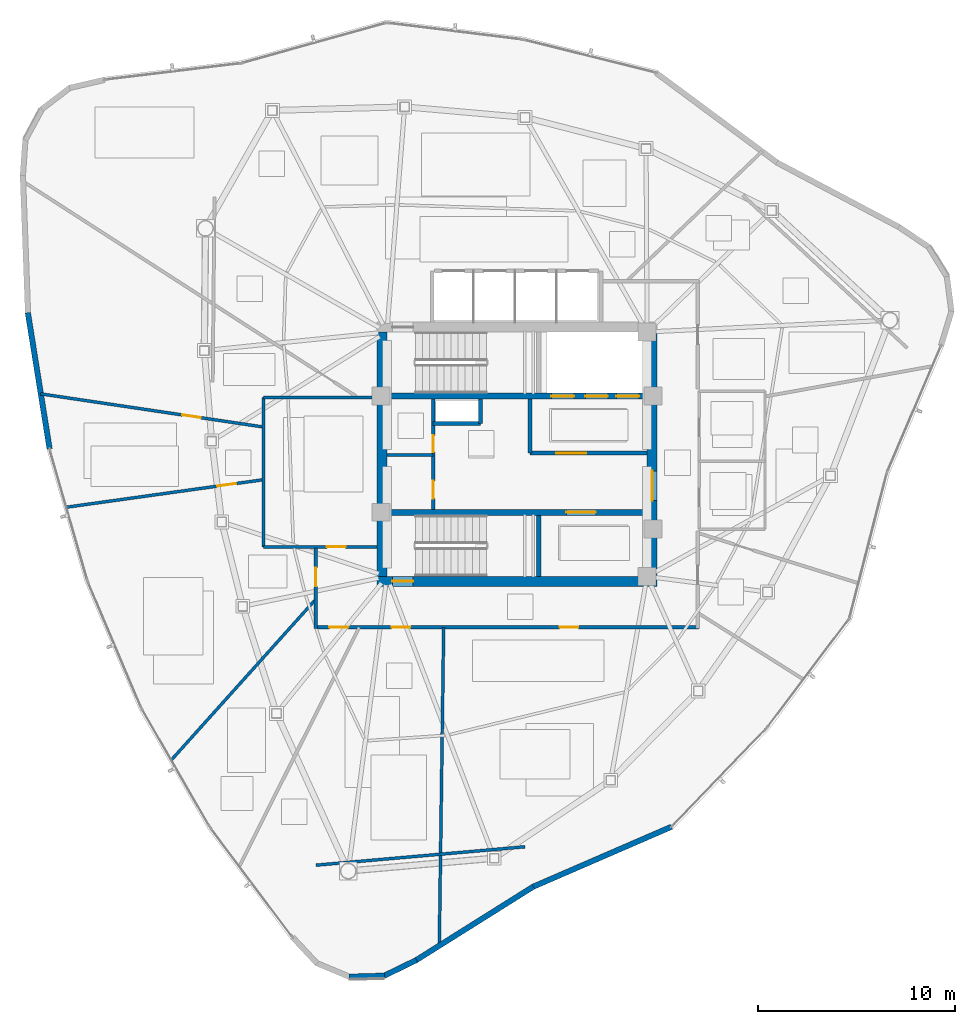
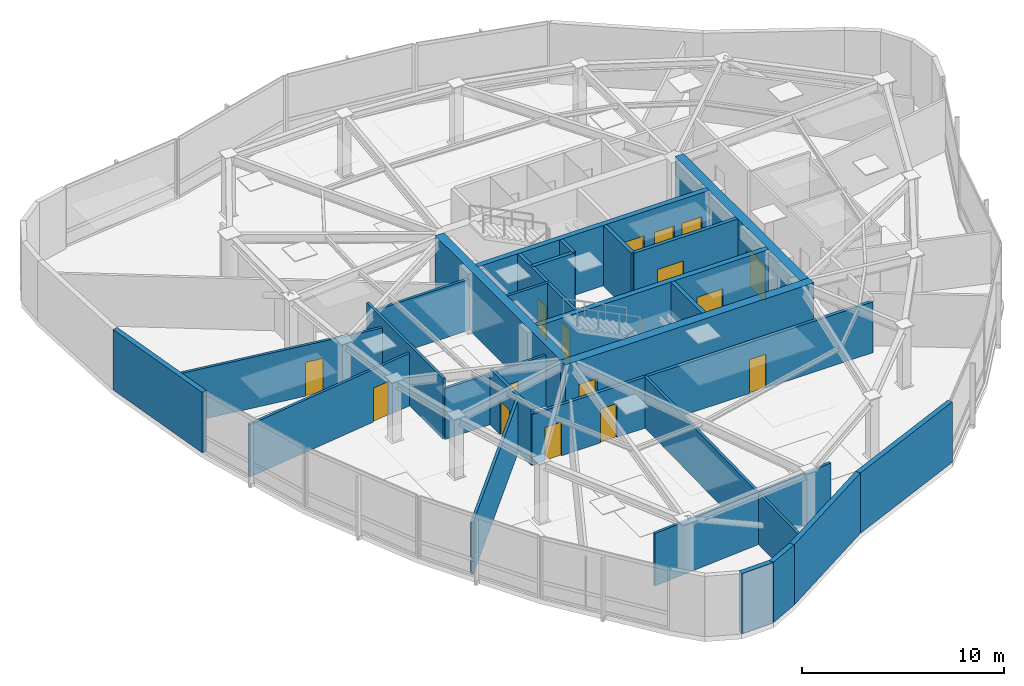
# One storey, part 9 of 14: 27 walls, 16 doors, 16 openings.
"""IFC4 building model written with IfcOpenShell, lengths in metres."""

import ifcopenshell
import ifcopenshell.guid

model = None  # the IFC model being written
_history = None  # IfcOwnerHistory: only IFC2X3 demands one
_inside = {}  # id of a spatial element -> (the spatial element, [elements in it])
_under = {}  # id of a project, library or spatial element -> (it, [spatial elements below it])
_declared = {}  # id of a project -> (the project, [libraries it declares])
_typed = {}  # id of a type object -> (the type object, [elements of that type])
_made_of = {}  # id of a material, layer set ... -> (it, [elements and type objects made of it])


def new_model(schema):
    """Start an empty IFC model of exactly this schema.

    Asked for "IFC4X3", IfcOpenShell would pick the latest addendum, in which some entities
    have other attributes; the version numbers below select the first issue.
    IFC2X3 requires an IfcOwnerHistory on every rooted entity: one is made here for all.
    """
    global model, _history
    if schema == "IFC4X3":
        model = ifcopenshell.file(schema_version=(4, 3, 0, 0))
    else:
        model = ifcopenshell.file(schema=schema)
    _inside.clear()
    _under.clear()
    _declared.clear()
    _typed.clear()
    _made_of.clear()
    _history = None
    if model.schema == "IFC2X3":
        org = make("IfcOrganization", Name="unknown")
        user = make(
            "IfcPersonAndOrganization",
            ThePerson=make("IfcPerson", FamilyName="unknown"),
            TheOrganization=org,
        )
        app = make(
            "IfcApplication",
            ApplicationDeveloper=org,
            Version="unknown",
            ApplicationFullName="unknown",
            ApplicationIdentifier="unknown",
        )
        _history = make(
            "IfcOwnerHistory",
            OwningUser=user,
            OwningApplication=app,
            ChangeAction="ADDED",
            CreationDate=0,
        )
    return model


def make(cls, **values):
    """One entity of the class cls with the attributes given. An attribute that is None is left unset."""
    return model.create_entity(
        cls, **{name: value for name, value in values.items() if value is not None}
    )


def rooted(cls, **values):
    """An entity with a GlobalId (a new one), such as an element, a storey or a relation."""
    return make(cls, GlobalId=ifcopenshell.guid.new(), OwnerHistory=_history, **values)


def si_unit(unit_type, name, prefix=None):
    """IfcSIUnit, for example si_unit("LENGTHUNIT", "METRE", prefix="MILLI")."""
    return make("IfcSIUnit", UnitType=unit_type, Prefix=prefix, Name=name)


def assignment(units):
    """IfcUnitAssignment: the units of a project."""
    return None if units is None else make("IfcUnitAssignment", Units=units)


def point(xyz):
    """IfcCartesianPoint."""
    return None if xyz is None else make("IfcCartesianPoint", Coordinates=xyz)


def direction(xyz):
    """IfcDirection."""
    return None if xyz is None else make("IfcDirection", DirectionRatios=xyz)


def frame(location, z_axis=None, x_axis=None):
    """IfcAxis2Placement3D, a coordinate frame: its origin and axes. An axis left out is left unset."""
    return make(
        "IfcAxis2Placement3D",
        Location=point(location),
        Axis=direction(z_axis),
        RefDirection=direction(x_axis),
    )


def frame_2d(location, x_axis=None):
    """IfcAxis2Placement2D, a coordinate frame in the plane: its origin and x axis."""
    return make(
        "IfcAxis2Placement2D", Location=point(location), RefDirection=direction(x_axis)
    )


def origin():
    """The frame at (0, 0, 0) with its axes left unset."""
    return frame((0.0, 0.0, 0.0))


def place(relative_to, where):
    """IfcLocalPlacement: puts the frame where relative to a parent placement (None: the world)."""
    return make(
        "IfcLocalPlacement", PlacementRelTo=relative_to, RelativePlacement=where
    )


def context(
    kind, dimensions, precision=None, world=None, true_north=None, identifier=None
):
    """IfcGeometricRepresentationContext, for example the 3D "Model" context."""
    return make(
        "IfcGeometricRepresentationContext",
        ContextIdentifier=identifier,
        ContextType=kind,
        CoordinateSpaceDimension=dimensions,
        Precision=precision,
        WorldCoordinateSystem=world,
        TrueNorth=true_north,
    )


def subcontext(parent, identifier, kind, view, scale=None):
    """IfcGeometricRepresentationSubContext, for example "Body" below "Model"."""
    return make(
        "IfcGeometricRepresentationSubContext",
        ContextIdentifier=identifier,
        ContextType=kind,
        ParentContext=parent,
        TargetScale=scale,
        TargetView=view,
    )


def project(units=None, contexts=None):
    """IfcProject with its units and contexts."""
    return rooted(
        "IfcProject",
        Name="project",
        RepresentationContexts=contexts,
        UnitsInContext=assignment(units),
    )


def spatial(cls, under=None, at=None, **own):
    """A site, building, storey or space (cls), placed at a placement, below another one or the project."""
    s = rooted(cls, ObjectPlacement=at, **own)
    if under is not None:
        _under.setdefault(under.id(), (under, []))[1].append(s)
    return s


def profile(cls, at=None, kind="AREA", **sizes):
    """A parametric profile (cls). Its sizes go by their IFC names, for example OverallWidth=200.0."""
    return make(cls, ProfileType=kind, Position=at, **sizes)


def rectangle(**sizes):
    """IfcRectangleProfileDef."""
    return profile("IfcRectangleProfileDef", **sizes)


def extrude(swept, where, along, depth):
    """IfcExtrudedAreaSolid: the profile swept, set in the frame where, extruded along a direction by depth."""
    return make(
        "IfcExtrudedAreaSolid",
        SweptArea=swept,
        Position=where,
        ExtrudedDirection=direction(along),
        Depth=depth,
    )


def shape(context_of_items, identifier, shape_type, items):
    """IfcShapeRepresentation: the items that make up one representation, for example the "Body"."""
    return make(
        "IfcShapeRepresentation",
        ContextOfItems=context_of_items,
        RepresentationIdentifier=identifier,
        RepresentationType=shape_type,
        Items=items,
    )


def material(Name=None, Category=None):
    """IfcMaterial."""
    return make("IfcMaterial", Name=Name, Category=Category)


def layer(
    of_material, thickness, ventilated=None, Name=None, Category=None, Priority=None
):
    """IfcMaterialLayer: one layer of a wall or slab, of a material (None: an air gap)."""
    return make(
        "IfcMaterialLayer",
        Material=of_material,
        LayerThickness=thickness,
        IsVentilated=ventilated,
        Name=Name,
        Category=Category,
        Priority=Priority,
    )


def layer_set(layers, Name=None):
    """IfcMaterialLayerSet."""
    return make("IfcMaterialLayerSet", MaterialLayers=layers, LayerSetName=Name)


def made_of(thing, what):
    """Note that an element or type object is made of a material, layer set ...; save() writes the relation."""
    if what is not None:
        _made_of.setdefault(what.id(), (what, []))[1].append(thing)
    return thing


def type_object(cls, material=None, **own):
    """A type object (cls), such as IfcWallType, which elements share."""
    return made_of(rooted(cls, **own), material)


def element(
    cls,
    number,
    at=None,
    inside=None,
    cuts=None,
    type_object=None,
    material=None,
    context=None,
    identifier="Body",
    shape_type=None,
    held_by="IfcProductDefinitionShape",
    body=None,
    shapes=None,
    **own,
):
    """One element of the class cls, such as IfcWall. Its Tag is "e" and its number.

    at: its placement. inside: the storey or other place that contains it. cuts: it is an
    opening in that element (IfcRelVoidsElement). A single representation is given by context,
    identifier, shape_type and body (its items); several are given by shapes. held_by: the class
    of the entity that holds the representations. save() writes the other relations.
    """
    e = rooted(cls, Tag="e%d" % number, ObjectPlacement=at, **own)
    if body is not None:
        shapes = [shape(context, identifier, shape_type, body)]
    if shapes is not None:
        e.Representation = make(held_by, Representations=shapes)
    if inside is not None:
        _inside.setdefault(inside.id(), (inside, []))[1].append(e)
    if cuts is not None:
        rooted(
            "IfcRelVoidsElement", RelatingBuildingElement=cuts, RelatedOpeningElement=e
        )
    if type_object is not None:
        _typed.setdefault(type_object.id(), (type_object, []))[1].append(e)
    return made_of(e, material)


def fill(opening, filler):
    """IfcRelFillsElement: the door or window that sits in an opening."""
    return rooted(
        "IfcRelFillsElement",
        RelatingOpeningElement=opening,
        RelatedBuildingElement=filler,
    )


def aggregate(whole, parts):
    """IfcRelAggregates: a whole, such as a stair, and the parts it consists of."""
    return rooted("IfcRelAggregates", RelatingObject=whole, RelatedObjects=parts)


def save(model, path):
    """Write the relations noted so far, then the file.

    IfcRelAggregates (storeys below a building ...), IfcRelContainedInSpatialStructure (elements
    in a storey), IfcRelDefinesByType, IfcRelAssociatesMaterial and IfcRelDeclares: one each for
    every whole, place, type object, material and project.
    """
    for whole, parts in _under.values():
        aggregate(whole, parts)
    for where, things in _inside.values():
        rooted(
            "IfcRelContainedInSpatialStructure",
            RelatedElements=things,
            RelatingStructure=where,
        )
    for kind, things in _typed.values():
        rooted("IfcRelDefinesByType", RelatedObjects=things, RelatingType=kind)
    for what, things in _made_of.values():
        rooted("IfcRelAssociatesMaterial", RelatedObjects=things, RelatingMaterial=what)
    for by, libraries in _declared.values():
        rooted("IfcRelDeclares", RelatingContext=by, RelatedDefinitions=libraries)
    model.write(path)


model = new_model("IFC4")

# Units and contexts
model_context = context("Model", 3, precision=1e-05, world=origin(), true_north=direction((0.0, 1.0)))
body_context = subcontext(model_context, "Body", "Model", "MODEL_VIEW")
ifc_project = project(units=[si_unit("LENGTHUNIT", "METRE"), si_unit("AREAUNIT", "SQUARE_METRE"), si_unit("VOLUMEUNIT", "CUBIC_METRE"), si_unit("PLANEANGLEUNIT", "RADIAN"), si_unit("MASSUNIT", "GRAM", prefix="KILO")], contexts=[model_context])

# Site, building, storey
site_placement = place(None, origin())
site = spatial("IfcSite", under=ifc_project, at=site_placement, CompositionType="ELEMENT")
building_placement = place(site_placement, origin())
building = spatial("IfcBuilding", under=site, at=building_placement, Name="Tavelor Broadcast Tower", CompositionType="ELEMENT")
storey_placement = place(building_placement, frame((0.0, 0.0, 249.800048828125)))
storey = spatial("IfcBuildingStorey", under=building, at=storey_placement, Name="L59", CompositionType="ELEMENT", Elevation=249.800048828125)

# Wall, opening, door
ifc_material_1 = material(Name="Concrete C50/60", Category="concrete")
ifc_layer_1 = layer(ifc_material_1, 0.5)
ifc_layer_set_1 = layer_set([ifc_layer_1], Name="Concrete C50/60")
wall_type_1 = type_object("IfcWallType", Name="Core Shear Wall 500 mm", PredefinedType="SHEAR", material=ifc_layer_set_1)
wall_1_placement = place(storey_placement, frame((42.89990234375, 38.550048828125, 0.0), z_axis=(0.0, 0.0, 1.0), x_axis=(1.0, 0.0, 0.0)))
wall_1 = element("IfcWall", 1, at=wall_1_placement, inside=storey, type_object=wall_type_1, Name="L59 Central Core Shear Wall S", PredefinedType="SHEAR", context=body_context, shape_type="SweptSolid", body=[
    extrude(rectangle(XDim=14.2001953125, YDim=0.5, at=frame_2d((7.10009765625, 0.0))), origin(), (0.0, 0.0, 1.0), 3.64990234375),
])
opening_1_placement = place(wall_1_placement, frame((0.780029296875, 0.0, 0.0)))
opening_1 = element("IfcOpeningElement", 2, at=opening_1_placement, cuts=wall_1, Name="Opening DR11", PredefinedType="OPENING", context=body_context, shape_type="SweptSolid", body=[
    extrude(rectangle(XDim=1.050048828125, YDim=2.199951171875, at=frame_2d((0.52490234375, 1.10009765625))), frame((0.0, 0.260009765625, 0.0), z_axis=(0.0, -1.0, 0.0), x_axis=(1.0, 0.0, 0.0)), (0.0, 0.0, 1.0), 0.52001953125),
])
ifc_material_2 = material(Name="Steel S355", Category="steel")
door_type_1 = type_object("IfcDoorType", Name="Stair Core Fire Escape Door 1050x2200", OperationType="NOTDEFINED", PredefinedType="DOOR", material=ifc_material_2)
door_1_placement = place(opening_1_placement, origin())
door_1 = element("IfcDoor", 3, at=door_1_placement, inside=storey, type_object=door_type_1, Name="L59 Stair ST2 Protected Exit Door", OperationType="SINGLE_SWING_RIGHT", OverallHeight=2.199951171875, OverallWidth=1.050048828125, PredefinedType="DOOR", context=body_context, shape_type="SweptSolid", body=[
    extrude(rectangle(XDim=1.050048828125, YDim=2.199951171875, at=frame_2d((0.52490234375, 1.10009765625))), frame((0.0, 0.02490234375, 0.0), z_axis=(0.0, -1.0, 0.0), x_axis=(1.0, 0.0, 0.0)), (0.0, 0.0, 1.0), 0.050048828125),
])
fill(opening_1, door_1)

# Wall
wall_2_placement = place(storey_placement, frame((43.14990234375, 38.800048828125, 0.0), z_axis=(0.0, 0.0, 1.0), x_axis=(0.0, 1.0, 0.0)))
element("IfcWall", 4, at=wall_2_placement, inside=storey, type_object=wall_type_1, Name="L59 Central Core Shear Wall W", PredefinedType="SHEAR", context=body_context, shape_type="SweptSolid", body=[
    extrude(rectangle(XDim=12.39990234375, YDim=0.5, at=frame_2d((6.199951171875, 0.0))), origin(), (0.0, 0.0, 1.0), 3.64990234375),
])

# Wall, opening, door
wall_3_placement = place(storey_placement, frame((56.85009765625, 38.800048828125, 0.0), z_axis=(0.0, 0.0, 1.0), x_axis=(0.0, 1.0, 0.0)))
wall_3 = element("IfcWall", 5, at=wall_3_placement, inside=storey, type_object=wall_type_1, Name="L59 Central Core Shear Wall E", PredefinedType="SHEAR", context=body_context, shape_type="SweptSolid", body=[
    extrude(rectangle(XDim=12.39990234375, YDim=0.5, at=frame_2d((6.199951171875, 0.0))), origin(), (0.0, 0.0, 1.0), 3.64990234375),
])
opening_2_placement = place(wall_3_placement, frame((3.85009765625, 0.0, 0.0)))
opening_2 = element("IfcOpeningElement", 6, at=opening_2_placement, cuts=wall_3, Name="Opening DR14", PredefinedType="OPENING", context=body_context, shape_type="SweptSolid", body=[
    extrude(rectangle(XDim=1.5, YDim=2.199951171875, at=frame_2d((0.75, 1.10009765625))), frame((0.0, 0.260009765625, 0.0), z_axis=(0.0, -1.0, 0.0), x_axis=(1.0, 0.0, 0.0)), (0.0, 0.0, 1.0), 0.52001953125),
])
door_type_2 = type_object("IfcDoorType", Name="Firefighting Lobby Double Fire Door 1500x2200", OperationType="NOTDEFINED", PredefinedType="DOOR", material=ifc_material_2)
door_2_placement = place(opening_2_placement, origin())
door_2 = element("IfcDoor", 7, at=door_2_placement, inside=storey, type_object=door_type_2, Name="L59 Central Core Lobby Fire Door", OperationType="SINGLE_SWING_RIGHT", OverallHeight=2.199951171875, OverallWidth=1.5, PredefinedType="DOOR", context=body_context, shape_type="SweptSolid", body=[
    extrude(rectangle(XDim=1.5, YDim=2.199951171875, at=frame_2d((0.75, 1.10009765625))), frame((0.0, 0.02490234375, 0.0), z_axis=(0.0, -1.0, 0.0), x_axis=(1.0, 0.0, 0.0)), (0.0, 0.0, 1.0), 0.050048828125),
])
fill(opening_2, door_2)

# Wall, openings, doors
ifc_layer_2 = layer(ifc_material_1, 0.300048828125)
ifc_layer_set_2 = layer_set([ifc_layer_2], Name="Concrete C50/60")
wall_type_2 = type_object("IfcWallType", Name="Core Spine Shear Wall 300 mm C50", PredefinedType="SHEAR", material=ifc_layer_set_2)
wall_4_placement = place(storey_placement, frame((43.39990234375, 47.949951171875, 0.0), z_axis=(0.0, 0.0, 1.0), x_axis=(1.0, 0.0, 0.0)))
wall_4 = element("IfcWall", 8, at=wall_4_placement, inside=storey, type_object=wall_type_2, Name="L59 Central Core Shear Wall SP1", PredefinedType="SHEAR", context=body_context, shape_type="SweptSolid", body=[
    extrude(rectangle(XDim=13.2001953125, YDim=0.300048828125, at=frame_2d((6.60009765625, 0.0))), origin(), (0.0, 0.0, 1.0), 3.64990234375),
])
opening_3_placement = place(wall_4_placement, frame((8.344970703125, 0.0, 0.0)))
opening_3 = element("IfcOpeningElement", 9, at=opening_3_placement, cuts=wall_4, Name="Opening LD02", PredefinedType="OPENING", context=body_context, shape_type="SweptSolid", body=[
    extrude(rectangle(XDim=1.14990234375, YDim=2.199951171875, at=frame_2d((0.574951171875, 1.10009765625))), frame((0.0, 0.16015625, 0.0), z_axis=(0.0, -1.0, 0.0), x_axis=(1.0, 0.0, 0.0)), (0.0, 0.0, 1.0), 0.320068359375),
])
opening_4_placement = place(wall_4_placement, frame((10.06494140625, 0.0, 0.0)))
opening_4 = element("IfcOpeningElement", 10, at=opening_4_placement, cuts=wall_4, Name="Opening LD02", PredefinedType="OPENING", context=body_context, shape_type="SweptSolid", body=[
    extrude(rectangle(XDim=1.14990234375, YDim=2.199951171875, at=frame_2d((0.574951171875, 1.10009765625))), frame((0.0, 0.16015625, 0.0), z_axis=(0.0, -1.0, 0.0), x_axis=(1.0, 0.0, 0.0)), (0.0, 0.0, 1.0), 0.320068359375),
])
opening_5_placement = place(wall_4_placement, frame((11.64501953125, 0.0, 0.0)))
opening_5 = element("IfcOpeningElement", 11, at=opening_5_placement, cuts=wall_4, Name="Opening LD03", PredefinedType="OPENING", context=body_context, shape_type="SweptSolid", body=[
    extrude(rectangle(XDim=1.14990234375, YDim=2.199951171875, at=frame_2d((0.574951171875, 1.10009765625))), frame((0.0, 0.16015625, 0.0), z_axis=(0.0, -1.0, 0.0), x_axis=(1.0, 0.0, 0.0)), (0.0, 0.0, 1.0), 0.320068359375),
])
ifc_material_3 = material(Name="Reinforced Brushed Stainless Steel", Category="concrete")
door_type_3 = type_object("IfcDoorType", Name="Broadcast Goods Lift Sliding Landing Door 1250x2200", OperationType="NOTDEFINED", PredefinedType="DOOR", material=ifc_material_3)
door_3_placement = place(opening_5_placement, origin())
door_3 = element("IfcDoor", 12, at=door_3_placement, inside=storey, type_object=door_type_3, Name="L59 Lift SVL1 Sliding Landing Door", OperationType="SLIDING_TO_LEFT", OverallHeight=2.199951171875, OverallWidth=1.14990234375, PredefinedType="DOOR", context=body_context, shape_type="SweptSolid", body=[
    extrude(rectangle(XDim=1.14990234375, YDim=2.199951171875, at=frame_2d((0.574951171875, 1.10009765625))), frame((0.0, 0.02490234375, 0.0), z_axis=(0.0, -1.0, 0.0), x_axis=(1.0, 0.0, 0.0)), (0.0, 0.0, 1.0), 0.050048828125),
])
fill(opening_5, door_3)
ifc_material_4 = material(Name="Fire-Rated Stainless Steel", Category="steel")
door_type_4 = type_object("IfcDoorType", Name="Firefighting Lift Sliding Landing Door 1200x2200", OperationType="NOTDEFINED", PredefinedType="DOOR", material=ifc_material_4)
door_4_placement = place(opening_3_placement, origin())
door_4 = element("IfcDoor", 13, at=door_4_placement, inside=storey, type_object=door_type_4, Name="L59 Lift FFL1 Sliding Landing Door", OperationType="SLIDING_TO_LEFT", OverallHeight=2.199951171875, OverallWidth=1.14990234375, PredefinedType="DOOR", context=body_context, shape_type="SweptSolid", body=[
    extrude(rectangle(XDim=1.14990234375, YDim=2.199951171875, at=frame_2d((0.574951171875, 1.10009765625))), frame((0.0, 0.02490234375, 0.0), z_axis=(0.0, -1.0, 0.0), x_axis=(1.0, 0.0, 0.0)), (0.0, 0.0, 1.0), 0.050048828125),
])
fill(opening_3, door_4)
door_5_placement = place(opening_4_placement, origin())
door_5 = element("IfcDoor", 14, at=door_5_placement, inside=storey, type_object=door_type_4, Name="L59 Lift FFL2 Sliding Landing Door", OperationType="SLIDING_TO_LEFT", OverallHeight=2.199951171875, OverallWidth=1.14990234375, PredefinedType="DOOR", context=body_context, shape_type="SweptSolid", body=[
    extrude(rectangle(XDim=1.14990234375, YDim=2.199951171875, at=frame_2d((0.574951171875, 1.10009765625))), frame((0.0, 0.02490234375, 0.0), z_axis=(0.0, -1.0, 0.0), x_axis=(1.0, 0.0, 0.0)), (0.0, 0.0, 1.0), 0.050048828125),
])
fill(opening_4, door_5)

# Wall, opening, door
wall_5_placement = place(storey_placement, frame((43.39990234375, 42.050048828125, 0.0), z_axis=(0.0, 0.0, 1.0), x_axis=(1.0, 0.0, 0.0)))
wall_5 = element("IfcWall", 15, at=wall_5_placement, inside=storey, type_object=wall_type_2, Name="L59 Central Core Shear Wall SP2", PredefinedType="SHEAR", context=body_context, shape_type="SweptSolid", body=[
    extrude(rectangle(XDim=13.2001953125, YDim=0.300048828125, at=frame_2d((6.60009765625, 0.0))), origin(), (0.0, 0.0, 1.0), 3.64990234375),
])
opening_6_placement = place(wall_5_placement, frame((9.10009765625, 0.0, 0.0)))
opening_6 = element("IfcOpeningElement", 16, at=opening_6_placement, cuts=wall_5, Name="Opening DR14", PredefinedType="OPENING", context=body_context, shape_type="SweptSolid", body=[
    extrude(rectangle(XDim=1.5, YDim=2.199951171875, at=frame_2d((0.75, 1.10009765625))), frame((0.0, 0.16015625, 0.0), z_axis=(0.0, -1.0, 0.0), x_axis=(1.0, 0.0, 0.0)), (0.0, 0.0, 1.0), 0.320068359375),
])
door_6_placement = place(opening_6_placement, origin())
door_6 = element("IfcDoor", 17, at=door_6_placement, inside=storey, type_object=door_type_2, Name="L59 Reclaimed South Core Vestibule Door", OperationType="SINGLE_SWING_RIGHT", OverallHeight=2.199951171875, OverallWidth=1.5, PredefinedType="DOOR", context=body_context, shape_type="SweptSolid", body=[
    extrude(rectangle(XDim=1.5, YDim=2.199951171875, at=frame_2d((0.75, 1.10009765625))), frame((0.0, 0.02490234375, 0.0), z_axis=(0.0, -1.0, 0.0), x_axis=(1.0, 0.0, 0.0)), (0.0, 0.0, 1.0), 0.050048828125),
])
fill(opening_6, door_6)

# Wall, openings, doors
ifc_material_5 = material(Name="Calcium Silicate Fire Board 180 mm", Category="gypsum")
ifc_layer_3 = layer(ifc_material_5, 0.179931640625)
ifc_layer_set_3 = layer_set([ifc_layer_3], Name="Calcium Silicate Fire Board 180 mm")
wall_type_3 = type_object("IfcWallType", Name="Fire-Rated Corridor Partition Wall 180 mm", PredefinedType="PARTITIONING", material=ifc_layer_set_3)
wall_6_placement = place(storey_placement, frame((45.75, 42.199951171875, 0.0), z_axis=(0.0, 0.0, 1.0), x_axis=(0.0, 1.0, 0.0)))
wall_6 = element("IfcWall", 18, at=wall_6_placement, inside=storey, type_object=wall_type_3, Name="L59 Core West Service East Wall", PredefinedType="PARTITIONING", context=body_context, shape_type="SweptSolid", body=[
    extrude(rectangle(XDim=5.60009765625, YDim=0.179931640625, at=frame_2d((2.800048828125, 0.0))), origin(), (0.0, 0.0, 1.0), 3.64990234375),
])
opening_7_placement = place(wall_6_placement, frame((0.550048828125, 0.0, 0.0)))
opening_7 = element("IfcOpeningElement", 19, at=opening_7_placement, cuts=wall_6, Name="Opening DR32", PredefinedType="OPENING", context=body_context, shape_type="SweptSolid", body=[
    extrude(rectangle(XDim=0.89990234375, YDim=2.050048828125, at=frame_2d((0.449951171875, 1.02490234375))), frame((0.0, 0.10009765625, 0.0), z_axis=(0.0, -1.0, 0.0), x_axis=(1.0, 0.0, 0.0)), (0.0, 0.0, 1.0), 0.199951171875),
])
opening_8_placement = place(wall_6_placement, frame((2.89990234375, 0.0, 0.0)))
opening_8 = element("IfcOpeningElement", 20, at=opening_8_placement, cuts=wall_6, Name="Opening DR36", PredefinedType="OPENING", context=body_context, shape_type="SweptSolid", body=[
    extrude(rectangle(XDim=0.85009765625, YDim=2.050048828125, at=frame_2d((0.425048828125, 1.02490234375))), frame((0.0, 0.10009765625, 0.0), z_axis=(0.0, -1.0, 0.0), x_axis=(1.0, 0.0, 0.0)), (0.0, 0.0, 1.0), 0.199951171875),
])
ifc_material_6 = material(Name="Timber Solid Core Hardwood", Category="wood")
door_type_5 = type_object("IfcDoorType", Name="Accessible Washroom Door 900x2050", OperationType="NOTDEFINED", PredefinedType="DOOR", material=ifc_material_6)
door_7_placement = place(opening_7_placement, origin())
door_7 = element("IfcDoor", 21, at=door_7_placement, inside=storey, type_object=door_type_5, Name="L59 Core Accessible WC Door", OperationType="SINGLE_SWING_LEFT", OverallHeight=2.050048828125, OverallWidth=0.89990234375, PredefinedType="DOOR", context=body_context, shape_type="SweptSolid", body=[
    extrude(rectangle(XDim=0.89990234375, YDim=2.050048828125, at=frame_2d((0.449951171875, 1.02490234375))), frame((0.0, 0.02490234375, 0.0), z_axis=(0.0, -1.0, 0.0), x_axis=(1.0, 0.0, 0.0)), (0.0, 0.0, 1.0), 0.050048828125),
])
fill(opening_7, door_7)
door_type_6 = type_object("IfcDoorType", Name="Service Room Fire Door 850x2050", OperationType="NOTDEFINED", PredefinedType="DOOR", material=ifc_material_2)
door_8_placement = place(opening_8_placement, origin())
door_8 = element("IfcDoor", 22, at=door_8_placement, inside=storey, type_object=door_type_6, Name="L59 Core Cleaner Store Door", OperationType="SINGLE_SWING_RIGHT", OverallHeight=2.050048828125, OverallWidth=0.85009765625, PredefinedType="DOOR", context=body_context, shape_type="SweptSolid", body=[
    extrude(rectangle(XDim=0.85009765625, YDim=2.050048828125, at=frame_2d((0.425048828125, 1.02490234375))), frame((0.0, 0.02490234375, 0.0), z_axis=(0.0, -1.0, 0.0), x_axis=(1.0, 0.0, 0.0)), (0.0, 0.0, 1.0), 0.050048828125),
])
fill(opening_8, door_8)

wall_7_placement = place(storey_placement, frame((59.22998046875, 36.219970703125, 0.0), z_axis=(0.0, 0.0, 1.0), x_axis=(-1.0, 0.0, 0.0)))
wall_7 = element("IfcWall", 23, at=wall_7_placement, inside=storey, type_object=wall_type_3, Name="L59 Corridor Compartment Wall 04", PredefinedType="PARTITIONING", context=body_context, shape_type="SweptSolid", body=[
    extrude(rectangle(XDim=19.47998046875, YDim=0.179931640625, at=frame_2d((9.739990234375, 0.0))), origin(), (0.0, 0.0, 1.0), 3.074951171875),
])
opening_9_placement = place(wall_7_placement, frame((6.118896484375, 0.0, 0.0)))
opening_9 = element("IfcOpeningElement", 24, at=opening_9_placement, cuts=wall_7, Name="Opening DR18", PredefinedType="OPENING", context=body_context, shape_type="SweptSolid", body=[
    extrude(rectangle(XDim=0.949951171875, YDim=2.050048828125, at=frame_2d((0.47509765625, 1.02490234375))), frame((0.0, 0.10009765625, 0.0), z_axis=(0.0, -1.0, 0.0), x_axis=(1.0, 0.0, 0.0)), (0.0, 0.0, 1.0), 0.199951171875),
])
opening_10_placement = place(wall_7_placement, frame((14.638671875, 0.0, 0.0)))
opening_10 = element("IfcOpeningElement", 25, at=opening_10_placement, cuts=wall_7, Name="Opening DR18", PredefinedType="OPENING", context=body_context, shape_type="SweptSolid", body=[
    extrude(rectangle(XDim=0.949951171875, YDim=2.050048828125, at=frame_2d((0.47509765625, 1.02490234375))), frame((0.0, 0.10009765625, 0.0), z_axis=(0.0, -1.0, 0.0), x_axis=(1.0, 0.0, 0.0)), (0.0, 0.0, 1.0), 0.199951171875),
])
opening_11_placement = place(wall_7_placement, frame((17.794921875, 0.0, 0.0)))
opening_11 = element("IfcOpeningElement", 26, at=opening_11_placement, cuts=wall_7, Name="Opening DR18", PredefinedType="OPENING", context=body_context, shape_type="SweptSolid", body=[
    extrude(rectangle(XDim=0.949951171875, YDim=2.050048828125, at=frame_2d((0.47509765625, 1.02490234375))), frame((0.0, 0.10009765625, 0.0), z_axis=(0.0, -1.0, 0.0), x_axis=(1.0, 0.0, 0.0)), (0.0, 0.0, 1.0), 0.199951171875),
])
door_type_7 = type_object("IfcDoorType", Name="Corridor Rated Compartment Door 950x2050", OperationType="NOTDEFINED", PredefinedType="DOOR", material=ifc_material_6)
door_9_placement = place(opening_9_placement, origin())
door_9 = element("IfcDoor", 27, at=door_9_placement, inside=storey, type_object=door_type_7, Name="L59 Standards Huddle Room Door R0", OperationType="SINGLE_SWING_RIGHT", OverallHeight=2.050048828125, OverallWidth=0.949951171875, PredefinedType="DOOR", context=body_context, shape_type="SweptSolid", body=[
    extrude(rectangle(XDim=0.949951171875, YDim=2.050048828125, at=frame_2d((0.47509765625, 1.02490234375))), frame((0.0, 0.02490234375, 0.0), z_axis=(0.0, -1.0, 0.0), x_axis=(1.0, 0.0, 0.0)), (0.0, 0.0, 1.0), 0.050048828125),
])
fill(opening_9, door_9)
door_10_placement = place(opening_10_placement, origin())
door_10 = element("IfcDoor", 28, at=door_10_placement, inside=storey, type_object=door_type_7, Name="L59 Creative Huddle Room Door R1", OperationType="SINGLE_SWING_LEFT", OverallHeight=2.050048828125, OverallWidth=0.949951171875, PredefinedType="DOOR", context=body_context, shape_type="SweptSolid", body=[
    extrude(rectangle(XDim=0.949951171875, YDim=2.050048828125, at=frame_2d((0.47509765625, 1.02490234375))), frame((0.0, 0.02490234375, 0.0), z_axis=(0.0, -1.0, 0.0), x_axis=(1.0, 0.0, 0.0)), (0.0, 0.0, 1.0), 0.050048828125),
])
fill(opening_10, door_10)
door_11_placement = place(opening_11_placement, origin())
door_11 = element("IfcDoor", 29, at=door_11_placement, inside=storey, type_object=door_type_7, Name="L59 Newsroom Huddle Room Door R2", OperationType="SINGLE_SWING_RIGHT", OverallHeight=2.050048828125, OverallWidth=0.949951171875, PredefinedType="DOOR", context=body_context, shape_type="SweptSolid", body=[
    extrude(rectangle(XDim=0.949951171875, YDim=2.050048828125, at=frame_2d((0.47509765625, 1.02490234375))), frame((0.0, 0.02490234375, 0.0), z_axis=(0.0, -1.0, 0.0), x_axis=(1.0, 0.0, 0.0)), (0.0, 0.0, 1.0), 0.050048828125),
])
fill(opening_11, door_11)

# Wall, opening, door
wall_8_placement = place(storey_placement, frame((39.800048828125, 36.169921875, 0.0), z_axis=(0.0, 0.0, 1.0), x_axis=(0.0, 1.0, 0.0)))
wall_8 = element("IfcWall", 30, at=wall_8_placement, inside=storey, type_object=wall_type_3, Name="L59 Corridor Compartment Wall 05", PredefinedType="PARTITIONING", context=body_context, shape_type="SweptSolid", body=[
    extrude(rectangle(XDim=4.080078125, YDim=0.179931640625, at=frame_2d((2.0400390625, 0.0))), origin(), (0.0, 0.0, 1.0), 3.35498046875),
])
opening_12_placement = place(wall_8_placement, frame((2.128173828125, 0.0, 0.0)))
opening_12 = element("IfcOpeningElement", 31, at=opening_12_placement, cuts=wall_8, Name="Opening DR18", PredefinedType="OPENING", context=body_context, shape_type="SweptSolid", body=[
    extrude(rectangle(XDim=0.949951171875, YDim=2.050048828125, at=frame_2d((0.47509765625, 1.02490234375))), frame((0.0, 0.10009765625, 0.0), z_axis=(0.0, -1.0, 0.0), x_axis=(1.0, 0.0, 0.0)), (0.0, 0.0, 1.0), 0.199951171875),
])
door_12_placement = place(opening_12_placement, origin())
door_12 = element("IfcDoor", 32, at=door_12_placement, inside=storey, type_object=door_type_7, Name="L59 Producer Interview Room Door R3", OperationType="SINGLE_SWING_LEFT", OverallHeight=2.050048828125, OverallWidth=0.949951171875, PredefinedType="DOOR", context=body_context, shape_type="SweptSolid", body=[
    extrude(rectangle(XDim=0.949951171875, YDim=2.050048828125, at=frame_2d((0.47509765625, 1.02490234375))), frame((0.0, 0.02490234375, 0.0), z_axis=(0.0, -1.0, 0.0), x_axis=(1.0, 0.0, 0.0)), (0.0, 0.0, 1.0), 0.050048828125),
])
fill(opening_12, door_12)

# Walls
ifc_material_7 = material(Name="Precast Concrete C40/50", Category="concrete")
ifc_layer_4 = layer(ifc_material_7, 0.280029296875)
ifc_layer_set_4 = layer_set([ifc_layer_4], Name="Precast Concrete C40/50")
wall_type_4 = type_object("IfcWallType", Name="Insulated Precast Terracotta Facade Wall 280 mm", PredefinedType="STANDARD", material=ifc_layer_set_4)
wall_9_placement = place(storey_placement, frame((25.18310546875, 52.182861328125, 0.0), z_axis=(0.0, 0.0, 1.0), x_axis=(0.157734846352, -0.987481502736, 0.0)))
element("IfcWall", 33, at=wall_9_placement, inside=storey, type_object=wall_type_4, Name="L59 Rounded Corner Structural Cladding Pier 06", PredefinedType="STANDARD", context=body_context, shape_type="SweptSolid", body=[
    extrude(rectangle(XDim=7.002197265625, YDim=0.280029296875, at=frame_2d((3.5009765625, 0.0))), origin(), (0.0, 0.0, 1.0), 3.64990234375),
])
wall_10_placement = place(storey_placement, frame((41.4716796875, 18.489990234375, 0.0), z_axis=(0.0, 0.0, 1.0), x_axis=(0.99958667424, 0.028748577047, 0.0)))
element("IfcWall", 34, at=wall_10_placement, inside=storey, type_object=wall_type_4, Name="L59 Rounded Corner Structural Cladding Pier 13", PredefinedType="STANDARD", context=body_context, shape_type="SweptSolid", body=[
    extrude(rectangle(XDim=1.808837890625, YDim=0.280029296875, at=frame_2d((0.904296875, 0.0))), origin(), (0.0, 0.0, 1.0), 3.64990234375),
])
wall_11_placement = place(storey_placement, frame((43.25146484375, 18.53515625, 0.0), z_axis=(0.0, 0.0, 1.0), x_axis=(0.899201068585, 0.437535642268, 0.0)))
element("IfcWall", 35, at=wall_11_placement, inside=storey, type_object=wall_type_4, Name="L59 Rounded Corner Structural Cladding Pier 14", PredefinedType="STANDARD", context=body_context, shape_type="SweptSolid", body=[
    extrude(rectangle(XDim=1.831298828125, YDim=0.280029296875, at=frame_2d((0.91552734375, 0.0))), origin(), (0.0, 0.0, 1.0), 3.64990234375),
])
wall_12_placement = place(storey_placement, frame((44.871826171875, 19.322021484375, 0.0), z_axis=(0.0, 0.0, 1.0), x_axis=(0.846910346194, 0.531735710207, 0.0)))
element("IfcWall", 36, at=wall_12_placement, inside=storey, type_object=wall_type_4, Name="L59 Rounded Corner Structural Cladding Pier 15", PredefinedType="STANDARD", context=body_context, shape_type="SweptSolid", body=[
    extrude(rectangle(XDim=7.033447265625, YDim=0.280029296875, at=frame_2d((3.5166015625, 0.0))), origin(), (0.0, 0.0, 1.0), 3.64990234375),
])
wall_13_placement = place(storey_placement, frame((50.802001953125, 23.048095703125, 0.0), z_axis=(0.0, 0.0, 1.0), x_axis=(0.917486281517, 0.397767423538, 0.0)))
element("IfcWall", 37, at=wall_13_placement, inside=storey, type_object=wall_type_4, Name="L59 Rounded Corner Structural Cladding Pier 16", PredefinedType="STANDARD", context=body_context, shape_type="SweptSolid", body=[
    extrude(rectangle(XDim=7.66552734375, YDim=0.280029296875, at=frame_2d((3.832763671875, 0.0))), origin(), (0.0, 0.0, 1.0), 3.64990234375),
])
ifc_material_8 = material(Name="Gypsum Acoustic Plasterboard 150 mm", Category="gypsum")
ifc_layer_5 = layer(ifc_material_8, 0.14990234375)
ifc_layer_set_5 = layer_set([ifc_layer_5], Name="Gypsum Acoustic Plasterboard 150 mm")
wall_type_5 = type_object("IfcWallType", Name="Interior Acoustic Partition Wall 150 mm", PredefinedType="PARTITIONING", material=ifc_layer_set_5)
wall_14_placement = place(storey_placement, frame((43.39990234375, 44.949951171875, 0.0), z_axis=(0.0, 0.0, 1.0), x_axis=(1.0, 0.0, 0.0)))
element("IfcWall", 38, at=wall_14_placement, inside=storey, type_object=wall_type_5, Name="L59 Core Split Wall A", PredefinedType="PARTITIONING", context=body_context, shape_type="SweptSolid", body=[
    extrude(rectangle(XDim=2.35009765625, YDim=0.14990234375, at=frame_2d((1.175048828125, 0.0))), origin(), (0.0, 0.0, 1.0), 3.64990234375),
])
wall_15_placement = place(storey_placement, frame((39.807861328125, 24.15185546875, 0.0), z_axis=(0.0, 0.0, 1.0), x_axis=(0.996153584085, 0.087624408208, 0.0)))
element("IfcWall", 39, at=wall_15_placement, inside=storey, type_object=wall_type_5, Name="L59 Corner Tube Brace Furring Wall 2", PredefinedType="PARTITIONING", context=body_context, shape_type="SweptSolid", body=[
    extrude(rectangle(XDim=10.63232421875, YDim=0.14990234375, at=frame_2d((5.316162109375, 0.0))), origin(), (0.0, 0.0, 1.0), 3.175048828125),
])

# Wall, opening, door
wall_16_placement = place(storey_placement, frame((37.139892578125, 40.300048828125, 0.0), z_axis=(0.0, 0.0, 1.0), x_axis=(1.0, 0.0, 0.0)))
wall_16 = element("IfcWall", 40, at=wall_16_placement, inside=storey, type_object=wall_type_5, Name="L59 Reclaimed Shaft Pantry South Wall", PredefinedType="PARTITIONING", context=body_context, shape_type="SweptSolid", body=[
    extrude(rectangle(XDim=5.760009765625, YDim=0.14990234375, at=frame_2d((2.8798828125, 0.0))), origin(), (0.0, 0.0, 1.0), 3.074951171875),
])
opening_13_placement = place(wall_16_placement, frame((3.2099609375, 0.0, 0.0)))
opening_13 = element("IfcOpeningElement", 41, at=opening_13_placement, cuts=wall_16, Name="Opening DR18", PredefinedType="OPENING", context=body_context, shape_type="SweptSolid", body=[
    extrude(rectangle(XDim=0.949951171875, YDim=2.050048828125, at=frame_2d((0.47509765625, 1.02490234375))), frame((0.0, 0.0849609375, 0.0), z_axis=(0.0, -1.0, 0.0), x_axis=(1.0, 0.0, 0.0)), (0.0, 0.0, 1.0), 0.169921875),
])
door_13_placement = place(opening_13_placement, origin())
door_13 = element("IfcDoor", 42, at=door_13_placement, inside=storey, type_object=door_type_7, Name="L59 Broadcast IT Patch and Pantry Door", OperationType="SINGLE_SWING_LEFT", OverallHeight=2.050048828125, OverallWidth=0.949951171875, PredefinedType="DOOR", context=body_context, shape_type="SweptSolid", body=[
    extrude(rectangle(XDim=0.949951171875, YDim=2.050048828125, at=frame_2d((0.47509765625, 1.02490234375))), frame((0.0, 0.02490234375, 0.0), z_axis=(0.0, -1.0, 0.0), x_axis=(1.0, 0.0, 0.0)), (0.0, 0.0, 1.0), 0.050048828125),
])
fill(opening_13, door_13)

# Walls
wall_17_placement = place(storey_placement, frame((37.139892578125, 40.300048828125, 0.0), z_axis=(0.0, 0.0, 1.0), x_axis=(0.0, 1.0, 0.0)))
element("IfcWall", 43, at=wall_17_placement, inside=storey, type_object=wall_type_5, Name="L59 Reclaimed Shaft Pantry West Wall", PredefinedType="PARTITIONING", context=body_context, shape_type="SweptSolid", body=[
    extrude(rectangle(XDim=7.579833984375, YDim=0.14990234375, at=frame_2d((3.7900390625, 0.0))), origin(), (0.0, 0.0, 1.0), 3.64990234375),
])
wall_18_placement = place(storey_placement, frame((37.139892578125, 47.8798828125, 0.0), z_axis=(0.0, 0.0, 1.0), x_axis=(1.0, 0.0, 0.0)))
element("IfcWall", 44, at=wall_18_placement, inside=storey, type_object=wall_type_5, Name="L59 Reclaimed Shaft Pantry North Wall", PredefinedType="PARTITIONING", context=body_context, shape_type="SweptSolid", body=[
    extrude(rectangle(XDim=5.760009765625, YDim=0.14990234375, at=frame_2d((2.8798828125, 0.0))), origin(), (0.0, 0.0, 1.0), 3.074951171875),
])

# Wall, opening, door
wall_19_placement = place(storey_placement, frame((37.080078125, 46.387451171875, 0.0), z_axis=(0.0, 0.0, 1.0), x_axis=(-0.989097164513, 0.14726438521, 0.0)))
wall_19 = element("IfcWall", 45, at=wall_19_placement, inside=storey, type_object=wall_type_5, Name="L59 Radial Compartment Wall 02", PredefinedType="PARTITIONING", context=body_context, shape_type="SweptSolid", body=[
    extrude(rectangle(XDim=11.372802734375, YDim=0.14990234375, at=frame_2d((5.6865234375, 0.0))), origin(), (0.0, 0.0, 1.0), 3.074951171875),
])
opening_14_placement = place(wall_19_placement, frame((3.14990234375, 0.0, 0.0)))
opening_14 = element("IfcOpeningElement", 46, at=opening_14_placement, cuts=wall_19, Name="Opening DR18", PredefinedType="OPENING", context=body_context, shape_type="SweptSolid", body=[
    extrude(rectangle(XDim=0.949951171875, YDim=2.050048828125, at=frame_2d((0.47509765625, 1.02490234375))), frame((0.0, 0.0849609375, 0.0), z_axis=(0.0, -1.0, 0.0), x_axis=(1.0, 0.0, 0.0)), (0.0, 0.0, 1.0), 0.169921875),
])
door_14_placement = place(opening_14_placement, origin())
door_14 = element("IfcDoor", 47, at=door_14_placement, inside=storey, type_object=door_type_7, Name="L59 Suite Connecting Door 5", OperationType="SINGLE_SWING_LEFT", OverallHeight=2.050048828125, OverallWidth=0.949951171875, PredefinedType="DOOR", context=body_context, shape_type="SweptSolid", body=[
    extrude(rectangle(XDim=0.949951171875, YDim=2.050048828125, at=frame_2d((0.47509765625, 1.02490234375))), frame((0.0, 0.02490234375, 0.0), z_axis=(0.0, -1.0, 0.0), x_axis=(1.0, 0.0, 0.0)), (0.0, 0.0, 1.0), 0.050048828125),
])
fill(opening_14, door_14)

wall_20_placement = place(storey_placement, frame((37.080078125, 43.69873046875, 0.0), z_axis=(0.0, 0.0, 1.0), x_axis=(-0.99039205397, -0.138288030693, 0.0)))
wall_20 = element("IfcWall", 48, at=wall_20_placement, inside=storey, type_object=wall_type_5, Name="L59 Radial Compartment Wall 03", PredefinedType="PARTITIONING", context=body_context, shape_type="SweptSolid", body=[
    extrude(rectangle(XDim=10.048828125, YDim=0.14990234375, at=frame_2d((5.0244140625, 0.0))), origin(), (0.0, 0.0, 1.0), 3.175048828125),
])
opening_15_placement = place(wall_20_placement, frame((1.35009765625, 0.0, 0.0)))
opening_15 = element("IfcOpeningElement", 49, at=opening_15_placement, cuts=wall_20, Name="Opening DR18", PredefinedType="OPENING", context=body_context, shape_type="SweptSolid", body=[
    extrude(rectangle(XDim=0.949951171875, YDim=2.050048828125, at=frame_2d((0.47509765625, 1.02490234375))), frame((0.0, 0.0849609375, 0.0), z_axis=(0.0, -1.0, 0.0), x_axis=(1.0, 0.0, 0.0)), (0.0, 0.0, 1.0), 0.169921875),
])
door_15_placement = place(opening_15_placement, origin())
door_15 = element("IfcDoor", 50, at=door_15_placement, inside=storey, type_object=door_type_7, Name="L59 Suite Connecting Door 4", OperationType="SINGLE_SWING_RIGHT", OverallHeight=2.050048828125, OverallWidth=0.949951171875, PredefinedType="DOOR", context=body_context, shape_type="SweptSolid", body=[
    extrude(rectangle(XDim=0.949951171875, YDim=2.050048828125, at=frame_2d((0.47509765625, 1.02490234375))), frame((0.0, 0.02490234375, 0.0), z_axis=(0.0, -1.0, 0.0), x_axis=(1.0, 0.0, 0.0)), (0.0, 0.0, 1.0), 0.050048828125),
])
fill(opening_15, door_15)

# Walls
wall_21_placement = place(storey_placement, frame((39.800048828125, 37.653076171875, 0.0), z_axis=(0.0, 0.0, 1.0), x_axis=(-0.668272193599, -0.743916847008, 0.0)))
element("IfcWall", 51, at=wall_21_placement, inside=storey, type_object=wall_type_5, Name="L59 Radial Compartment Wall 04", PredefinedType="PARTITIONING", context=body_context, shape_type="SweptSolid", body=[
    extrude(rectangle(XDim=10.989501953125, YDim=0.14990234375, at=frame_2d((5.49462890625, 0.0))), origin(), (0.0, 0.0, 1.0), 3.175048828125),
])
wall_22_placement = place(storey_placement, frame((46.279296875, 36.219970703125, 0.0), z_axis=(0.0, 0.0, 1.0), x_axis=(-0.013742019397, -0.999905573993, 0.0)))
element("IfcWall", 52, at=wall_22_placement, inside=storey, type_object=wall_type_5, Name="L59 Radial Compartment Wall 06", PredefinedType="PARTITIONING", context=body_context, shape_type="SweptSolid", body=[
    extrude(rectangle(XDim=16.1669921875, YDim=0.14990234375, at=frame_2d((8.08349609375, 0.0))), origin(), (0.0, 0.0, 1.0), 3.074951171875),
])
ifc_material_9 = material(Name="Concrete Blockwork 200 mm", Category="masonry")
ifc_layer_6 = layer(ifc_material_9, 0.199951171875)
ifc_layer_set_6 = layer_set([ifc_layer_6], Name="Concrete Blockwork 200 mm")
wall_type_6 = type_object("IfcWallType", Name="Lift and Riser Shaft Enclosure Wall 200 mm", PredefinedType="PARTITIONING", material=ifc_layer_set_6)
wall_23_placement = place(storey_placement, frame((45.75, 46.550048828125, 0.0), z_axis=(0.0, 0.0, 1.0), x_axis=(1.0, 0.0, 0.0)))
element("IfcWall", 53, at=wall_23_placement, inside=storey, type_object=wall_type_6, Name="L59 Riser Shaft South Wall", PredefinedType="PARTITIONING", context=body_context, shape_type="SweptSolid", body=[
    extrude(rectangle(XDim=2.39990234375, YDim=0.199951171875, at=frame_2d((1.199951171875, 0.0))), origin(), (0.0, 0.0, 1.0), 3.64990234375),
])
wall_24_placement = place(storey_placement, frame((48.14990234375, 46.550048828125, 0.0), z_axis=(0.0, 0.0, 1.0), x_axis=(0.0, 1.0, 0.0)))
element("IfcWall", 54, at=wall_24_placement, inside=storey, type_object=wall_type_6, Name="L59 Riser Shaft East Wall", PredefinedType="PARTITIONING", context=body_context, shape_type="SweptSolid", body=[
    extrude(rectangle(XDim=1.25, YDim=0.199951171875, at=frame_2d((0.625, 0.0))), origin(), (0.0, 0.0, 1.0), 3.64990234375),
])

# Wall, opening, door
wall_25_placement = place(storey_placement, frame((50.64990234375, 45.050048828125, 0.0), z_axis=(0.0, 0.0, 1.0), x_axis=(1.0, 0.0, 0.0)))
wall_25 = element("IfcWall", 55, at=wall_25_placement, inside=storey, type_object=wall_type_6, Name="L59 Firefighting Lobby South Wall", PredefinedType="PARTITIONING", context=body_context, shape_type="SweptSolid", body=[
    extrude(rectangle(XDim=5.9501953125, YDim=0.199951171875, at=frame_2d((2.97509765625, 0.0))), origin(), (0.0, 0.0, 1.0), 3.64990234375),
])
opening_16_placement = place(wall_25_placement, frame((1.35009765625, 0.0, 0.0)))
opening_16 = element("IfcOpeningElement", 56, at=opening_16_placement, cuts=wall_25, Name="Opening DR14", PredefinedType="OPENING", context=body_context, shape_type="SweptSolid", body=[
    extrude(rectangle(XDim=1.5, YDim=2.199951171875, at=frame_2d((0.75, 1.10009765625))), frame((0.0, 0.10986328125, 0.0), z_axis=(0.0, -1.0, 0.0), x_axis=(1.0, 0.0, 0.0)), (0.0, 0.0, 1.0), 0.219970703125),
])
door_16_placement = place(opening_16_placement, origin())
door_16 = element("IfcDoor", 57, at=door_16_placement, inside=storey, type_object=door_type_2, Name="L59 Firefighting Lobby Compartment Door", OperationType="SINGLE_SWING_LEFT", OverallHeight=2.199951171875, OverallWidth=1.5, PredefinedType="DOOR", context=body_context, shape_type="SweptSolid", body=[
    extrude(rectangle(XDim=1.5, YDim=2.199951171875, at=frame_2d((0.75, 1.10009765625))), frame((0.0, 0.02490234375, 0.0), z_axis=(0.0, -1.0, 0.0), x_axis=(1.0, 0.0, 0.0)), (0.0, 0.0, 1.0), 0.050048828125),
])
fill(opening_16, door_16)

# Walls
wall_26_placement = place(storey_placement, frame((50.64990234375, 45.050048828125, 0.0), z_axis=(0.0, 0.0, 1.0), x_axis=(0.0, 1.0, 0.0)))
element("IfcWall", 58, at=wall_26_placement, inside=storey, type_object=wall_type_6, Name="L59 Firefighting Lobby West Wall", PredefinedType="PARTITIONING", context=body_context, shape_type="SweptSolid", body=[
    extrude(rectangle(XDim=2.75, YDim=0.199951171875, at=frame_2d((1.375, 0.0))), origin(), (0.0, 0.0, 1.0), 3.64990234375),
])
ifc_material_10 = material(Name="Concrete C40/50", Category="concrete")
ifc_layer_7 = layer(ifc_material_10, 0.219970703125)
ifc_layer_set_7 = layer_set([ifc_layer_7], Name="Concrete C40/50")
wall_type_7 = type_object("IfcWallType", Name="Structural Stairwell Shear Wall 220 mm", PredefinedType="SHEAR", material=ifc_layer_set_7)
wall_27_placement = place(storey_placement, frame((51.110107421875, 38.800048828125, 0.0), z_axis=(0.0, 0.0, 1.0), x_axis=(0.0, 1.0, 0.0)))
element("IfcWall", 59, at=wall_27_placement, inside=storey, type_object=wall_type_7, Name="L59 Stair ST2 Structural Shaft Wall", PredefinedType="SHEAR", context=body_context, shape_type="SweptSolid", body=[
    extrude(rectangle(XDim=3.099853515625, YDim=0.219970703125, at=frame_2d((1.5498046875, 0.0))), origin(), (0.0, 0.0, 1.0), 3.64990234375),
])

save(model, "model.ifc")
